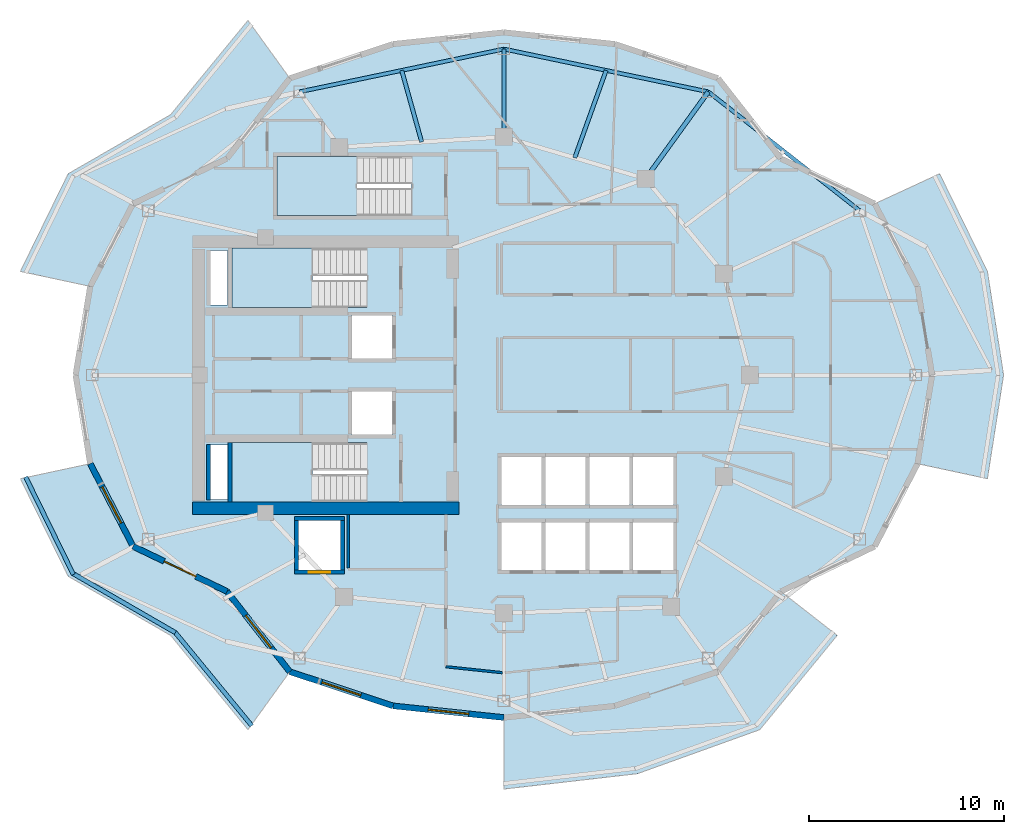
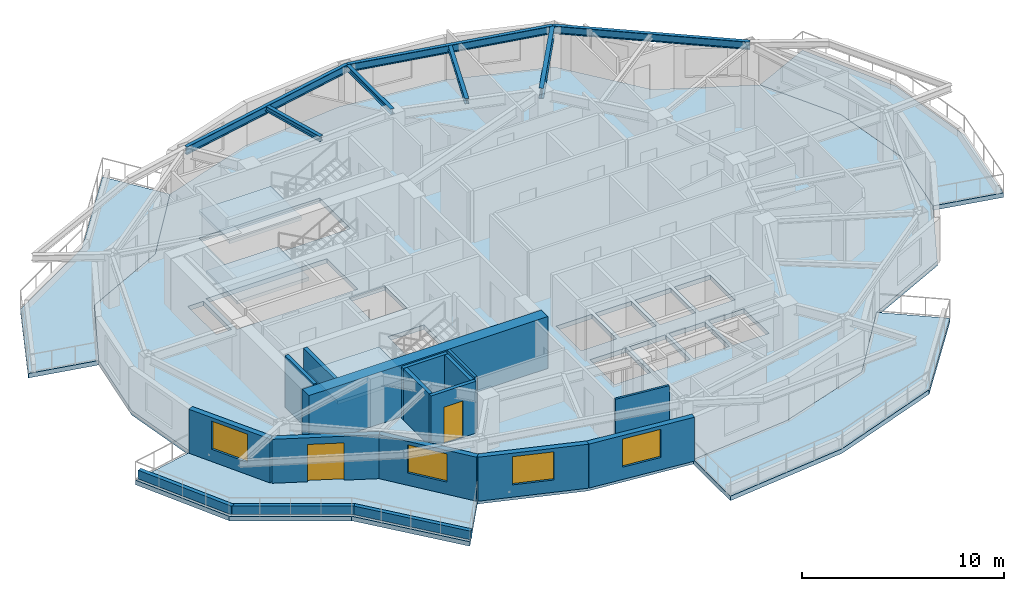
# One storey, part 2 of 12: 17 walls, 8 slabs, 7 beams, 4 windows, 2 doors, 6 openings, 3 elements without a shape of their own.
"""IFC4 building model written with IfcOpenShell, lengths in metres."""

from ifc_helpers import new_model, si_unit, direction, frame, frame_2d, origin, origin_2d, place, context, subcontext, project, spatial, polyline, rectangle, i_section, outline, extrude, material, layer, layer_set, material_profile, profile_set, type_object, element, fill, aggregate, save


model = new_model("IFC4")

# Units and contexts
model_context = context("Model", 3, precision=1e-05, world=origin(), true_north=direction((0.0, 1.0)))
body_context = subcontext(model_context, "Body", "Model", "MODEL_VIEW")
ifc_project = project(units=[si_unit("LENGTHUNIT", "METRE"), si_unit("AREAUNIT", "SQUARE_METRE"), si_unit("VOLUMEUNIT", "CUBIC_METRE"), si_unit("PLANEANGLEUNIT", "RADIAN"), si_unit("MASSUNIT", "GRAM", prefix="KILO")], contexts=[model_context])

# Site, building, storey
site_placement = place(None, origin())
site = spatial("IfcSite", under=ifc_project, at=site_placement, CompositionType="ELEMENT")
building_placement = place(site_placement, origin())
building = spatial("IfcBuilding", under=site, at=building_placement, Name="Kolvaren Gate Tower and Convention Centre", CompositionType="ELEMENT")
storey_placement = place(building_placement, frame((0.0, 0.0, 180.10009765625)))
storey = spatial("IfcBuildingStorey", under=building, at=storey_placement, Name="L47", CompositionType="ELEMENT", Elevation=180.10009765625)

# Beams
ifc_material_1 = material(Name="Structural steel ASTM A992 Grade 345 MPa", Category="steel")
ifc_material_profile_1 = material_profile(ifc_material_1, i_section(OverallWidth=0.22998046875, OverallDepth=0.616943359375, WebThickness=0.01318359375, FlangeThickness=0.022216796875, at=origin_2d()), Name="W610X140")
ifc_profile_set_1 = profile_set([ifc_material_profile_1], Name="Structural steel ASTM A992 Grade 345 MPa")
beam_type_1 = type_object("IfcBeamType", Name="STR-BM-W610X140", PredefinedType="BEAM", material=ifc_profile_set_1)
beam_1_placement = place(storey_placement, frame((37.381591796875, 37.054931640625, 2.8212890625), z_axis=(0.58520818289, 0.810883088169, 0.0), x_axis=(-0.810883088169, 0.58520818289, 0.0)))
element("IfcBeam", 1, at=beam_1_placement, inside=storey, type_object=beam_type_1, Name="Tower L47 Radial Floor Girder RB-03", PredefinedType="BEAM", context=body_context, shape_type="SweptSolid", body=[
    extrude(i_section(OverallWidth=0.22998046875, OverallDepth=0.616943359375, WebThickness=0.01318359375, FlangeThickness=0.022216796875, at=origin_2d()), origin(), (0.0, 0.0, 1.0), 5.493408203125),
])
ifc_material_profile_2 = material_profile(ifc_material_1, i_section(OverallWidth=0.205078125, OverallDepth=0.31005859375, WebThickness=0.009521484375, FlangeThickness=0.016357421875, at=origin_2d()), Name="W310X74")
ifc_profile_set_2 = profile_set([ifc_material_profile_2], Name="Structural steel ASTM A992 Grade 345 MPa")
beam_type_2 = type_object("IfcBeamType", Name="STR-JS-W310X74", PredefinedType="JOIST", material=ifc_profile_set_2)
beam_2_placement = place(storey_placement, frame((30.125, 39.199951171875, 2.974853515625), z_axis=(0.0, 1.0, 0.0), x_axis=(-1.0, 0.0, 0.0)))
element("IfcBeam", 2, at=beam_2_placement, inside=storey, type_object=beam_type_2, Name="Tower L47 Radial Floor Girder RB-04", PredefinedType="JOIST", context=body_context, shape_type="SweptSolid", body=[
    extrude(i_section(OverallWidth=0.205078125, OverallDepth=0.31005859375, WebThickness=0.009521484375, FlangeThickness=0.016357421875, at=origin_2d()), origin(), (0.0, 0.0, 1.0), 4.5),
])
beam_3_placement = place(storey_placement, frame((33.75341796875, 38.12744140625, 2.974853515625), z_axis=(0.33785426197, 0.941198436924, 0.0), x_axis=(-0.941198436924, 0.33785426197, 0.0)))
element("IfcBeam", 3, at=beam_3_placement, inside=storey, type_object=beam_type_2, Name="Tower L47 Secondary Composite Floor Joist J-03.1", PredefinedType="JOIST", context=body_context, shape_type="SweptSolid", body=[
    extrude(i_section(OverallWidth=0.205078125, OverallDepth=0.31005859375, WebThickness=0.009521484375, FlangeThickness=0.016357421875, at=origin_2d()), origin(), (0.0, 0.0, 1.0), 4.757080078125),
])
beam_4_placement = place(storey_placement, frame((25.91162109375, 38.938232421875, 2.974853515625), z_axis=(-0.26855678261, 0.963263855085, 0.0), x_axis=(-0.963263855085, -0.26855678261, 0.0)))
element("IfcBeam", 4, at=beam_4_placement, inside=storey, type_object=beam_type_2, Name="Tower L47 Secondary Composite Floor Joist J-04.1", PredefinedType="JOIST", context=body_context, shape_type="SweptSolid", body=[
    extrude(i_section(OverallWidth=0.205078125, OverallDepth=0.31005859375, WebThickness=0.009521484375, FlangeThickness=0.016357421875, at=origin_2d()), origin(), (0.0, 0.0, 1.0), 3.806396484375),
])
ifc_material_profile_3 = material_profile(ifc_material_1, i_section(OverallWidth=0.194091796875, OverallDepth=0.468994140625, WebThickness=0.0126953125, FlangeThickness=0.0205078125, at=origin_2d()), Name="W460X106")
ifc_profile_set_3 = profile_set([ifc_material_profile_3], Name="Structural steel ASTM A992 Grade 345 MPa")
beam_type_3 = type_object("IfcBeamType", Name="STR-SP-W460X106", PredefinedType="SPANDREL", material=ifc_profile_set_3)
beam_5_placement = place(storey_placement, frame((48.351806640625, 35.418701171875, 2.8955078125), z_axis=(-0.786450621777, 0.617653154697, 0.0), x_axis=(-0.617653154697, -0.786450621777, 0.0)))
element("IfcBeam", 5, at=beam_5_placement, inside=storey, type_object=beam_type_3, Name="Tower L47 Perimeter Spandrel Beam SP-02", PredefinedType="SPANDREL", context=body_context, shape_type="SweptSolid", body=[
    extrude(i_section(OverallWidth=0.194091796875, OverallDepth=0.468994140625, WebThickness=0.0126953125, FlangeThickness=0.0205078125, at=origin_2d()), origin(), (0.0, 0.0, 1.0), 9.861328125),
])
beam_6_placement = place(storey_placement, frame((40.596435546875, 41.509521484375, 2.8955078125), z_axis=(-0.978814350133, 0.204749769168, 0.0), x_axis=(-0.204749769168, -0.978814350133, 0.0)))
element("IfcBeam", 6, at=beam_6_placement, inside=storey, type_object=beam_type_3, Name="Tower L47 Perimeter Spandrel Beam SP-03", PredefinedType="SPANDREL", context=body_context, shape_type="SweptSolid", body=[
    extrude(i_section(OverallWidth=0.194091796875, OverallDepth=0.468994140625, WebThickness=0.0126953125, FlangeThickness=0.0205078125, at=origin_2d()), origin(), (0.0, 0.0, 1.0), 10.697998046875),
])
beam_7_placement = place(storey_placement, frame((30.125, 43.699951171875, 2.8955078125), z_axis=(-0.978813393389, -0.204754342865, 0.0), x_axis=(0.204754342865, -0.978813393389, 0.0)))
element("IfcBeam", 7, at=beam_7_placement, inside=storey, type_object=beam_type_3, Name="Tower L47 Perimeter Spandrel Beam SP-04", PredefinedType="SPANDREL", context=body_context, shape_type="SweptSolid", body=[
    extrude(i_section(OverallWidth=0.194091796875, OverallDepth=0.468994140625, WebThickness=0.0126953125, FlangeThickness=0.0205078125, at=origin_2d()), origin(), (0.0, 0.0, 1.0), 10.69775390625),
])

# Slabs
ifc_material_2 = material(Name="Concrete C50/60", Category="concrete")
ifc_layer_1 = layer(ifc_material_2, 0.27001953125)
ifc_layer_set_1 = layer_set([ifc_layer_1], Name="Concrete C50/60")
slab_type_1 = type_object("IfcSlabType", Name="STR-SL-BALC-270", PredefinedType="FLOOR", material=ifc_layer_set_1)
slab_1_placement = place(storey_placement, frame((0.0, 0.0, -0.27001953125)))
element("IfcSlab", 8, at=slab_1_placement, inside=storey, type_object=slab_type_1, Name="Tower L47 Planted Balcony Terrace Slab 1 (West)", PredefinedType="FLOOR", context=body_context, shape_type="SweptSolid", body=[
    extrude(outline(polyline([(19.15625, 42.19873046875), (15.9365234375, 38.0859375), (11.126708984375, 35.77490234375), (8.93505859375, 31.542236328125), (5.356201171875, 32.309326171875), (7.803955078125, 37.309814453125), (13.052490234375, 40.33935546875), (17.014404296875, 45.16650390625), (19.15625, 42.19873046875)])), origin(), (0.0, 0.0, 1.0), 0.27001953125),
])
slab_2_placement = place(storey_placement, frame((0.0, 0.0, -0.27001953125)))
element("IfcSlab", 9, at=slab_2_placement, inside=storey, type_object=slab_type_1, Name="Tower L47 Planted Balcony Terrace Slab 2 (West)", PredefinedType="FLOOR", context=body_context, shape_type="SweptSolid", body=[
    extrude(outline(polyline([(8.93505859375, 22.457763671875), (11.126708984375, 18.22509765625), (15.9365234375, 15.9140625), (19.15625, 11.80126953125), (17.014404296875, 8.83349609375), (13.052490234375, 13.66064453125), (7.803955078125, 16.690185546875), (5.356201171875, 21.690673828125), (8.93505859375, 22.457763671875)])), origin(), (0.0, 0.0, 1.0), 0.27001953125),
])
slab_3_placement = place(storey_placement, frame((0.0, 0.0, -0.27001953125)))
element("IfcSlab", 10, at=slab_3_placement, inside=storey, type_object=slab_type_1, Name="Tower L47 Planted Balcony Terrace Slab 3 (South)", PredefinedType="FLOOR", context=body_context, shape_type="SweptSolid", body=[
    extrude(outline(polyline([(30.125, 9.449951171875), (35.802734375, 10.048095703125), (41.09375, 11.80126953125), (44.3134765625, 15.9140625), (47.197509765625, 13.66064453125), (43.235595703125, 8.83349609375), (36.965087890625, 6.577392578125), (30.125, 5.7900390625), (30.125, 9.449951171875)])), origin(), (0.0, 0.0, 1.0), 0.27001953125),
])
slab_4_placement = place(storey_placement, frame((0.0, 0.0, -0.27001953125)))
element("IfcSlab", 11, at=slab_4_placement, inside=storey, type_object=slab_type_1, Name="Tower L47 Planted Balcony Terrace Slab 4 (East)", PredefinedType="FLOOR", context=body_context, shape_type="SweptSolid", body=[
    extrude(outline(polyline([(51.31494140625, 22.457763671875), (52.0625, 27.0), (51.31494140625, 31.542236328125), (49.123291015625, 35.77490234375), (52.446044921875, 37.309814453125), (54.893798828125, 32.309326171875), (55.722412109375, 27.0), (54.893798828125, 21.690673828125), (51.31494140625, 22.457763671875)])), origin(), (0.0, 0.0, 1.0), 0.27001953125),
])
ifc_material_3 = material(Name="Concrete C40/50", Category="concrete")
ifc_layer_2 = layer(ifc_material_3, 0.27001953125)
ifc_layer_set_2 = layer_set([ifc_layer_2], Name="Concrete C40/50")
slab_type_2 = type_object("IfcSlabType", Name="STR-SL-FLR-270", PredefinedType="FLOOR", material=ifc_layer_set_2)
slab_5_placement = place(storey_placement, frame((0.0, 0.0, -0.27001953125)))
element("IfcSlab", 12, at=slab_5_placement, inside=storey, type_object=slab_type_2, Name="Tower L47 Structural Floor Slab", PredefinedType="FLOOR", context=body_context, shape_type="SweptSolid", body=[
    extrude(outline(polyline([(52.0625, 27.0), (51.31494140625, 31.542236328125), (49.123291015625, 35.77490234375), (44.3134765625, 38.0859375), (41.09375, 42.19873046875), (35.802734375, 43.951904296875), (30.125, 44.550048828125), (24.447265625, 43.951904296875), (19.15625, 42.19873046875), (15.9365234375, 38.0859375), (11.126708984375, 35.77490234375), (8.93505859375, 31.542236328125), (8.1875, 27.0), (8.93505859375, 22.457763671875), (11.126708984375, 18.22509765625), (15.9365234375, 15.9140625), (19.15625, 11.80126953125), (24.447265625, 10.048095703125), (30.125, 9.449951171875), (35.802734375, 10.048095703125), (41.09375, 11.80126953125), (44.3134765625, 15.9140625), (49.123291015625, 18.22509765625), (51.31494140625, 22.457763671875), (52.0625, 27.0)]), holes=[polyline([(36.75, 17.0), (36.75, 19.449951171875), (38.800048828125, 19.449951171875), (38.800048828125, 17.0), (36.75, 17.0)]), polyline([(36.75, 20.35009765625), (36.75, 22.800048828125), (38.800048828125, 22.800048828125), (38.800048828125, 20.35009765625), (36.75, 20.35009765625)]), polyline([(34.5, 17.0), (34.5, 19.449951171875), (36.550048828125, 19.449951171875), (36.550048828125, 17.0), (34.5, 17.0)]), polyline([(34.5, 20.35009765625), (34.5, 22.800048828125), (36.550048828125, 22.800048828125), (36.550048828125, 20.35009765625), (34.5, 20.35009765625)]), polyline([(32.25, 17.0), (32.25, 19.449951171875), (34.300048828125, 19.449951171875), (34.300048828125, 17.0), (32.25, 17.0)]), polyline([(32.25, 20.35009765625), (32.25, 22.800048828125), (34.300048828125, 22.800048828125), (34.300048828125, 20.35009765625), (32.25, 20.35009765625)]), polyline([(30.0, 17.0), (30.0, 19.449951171875), (32.050048828125, 19.449951171875), (32.050048828125, 17.0), (30.0, 17.0)]), polyline([(30.0, 20.35009765625), (30.0, 22.800048828125), (32.050048828125, 22.800048828125), (32.050048828125, 20.35009765625), (30.0, 20.35009765625)]), polyline([(25.39990234375, 38.199951171875), (25.39990234375, 35.159912109375), (18.5, 35.159912109375), (18.5, 38.199951171875), (25.39990234375, 38.199951171875)]), polyline([(22.35009765625, 23.9599609375), (22.35009765625, 26.159912109375), (24.39990234375, 26.159912109375), (24.39990234375, 23.9599609375), (22.35009765625, 23.9599609375)]), polyline([(22.35009765625, 27.840087890625), (22.35009765625, 30.0400390625), (24.39990234375, 30.0400390625), (24.39990234375, 27.840087890625), (22.35009765625, 27.840087890625)]), polyline([(23.10009765625, 23.5400390625), (23.10009765625, 20.5), (16.199951171875, 20.5), (16.199951171875, 23.5400390625), (23.10009765625, 23.5400390625)]), polyline([(23.10009765625, 33.5), (23.10009765625, 30.4599609375), (16.199951171875, 30.4599609375), (16.199951171875, 33.5), (23.10009765625, 33.5)]), polyline([(19.60009765625, 17.0), (19.60009765625, 19.550048828125), (21.75, 19.550048828125), (21.75, 17.0), (19.60009765625, 17.0)]), polyline([(15.080078125, 20.6298828125), (15.080078125, 23.419921875), (15.969970703125, 23.419921875), (15.969970703125, 20.6298828125), (15.080078125, 20.6298828125)]), polyline([(15.080078125, 30.580078125), (15.080078125, 33.3701171875), (15.969970703125, 33.3701171875), (15.969970703125, 30.580078125), (15.080078125, 30.580078125)])]), origin(), (0.0, 0.0, 1.0), 0.27001953125),
])

# Stair, slab
stair_type = type_object("IfcStairType", Name="STR-STAIR-CORE", PredefinedType="HALF_TURN_STAIR", material=ifc_material_2)
stair_1_placement = place(storey_placement, origin())
stair_1 = element("IfcStair", 13, at=stair_1_placement, inside=storey, type_object=stair_type, Name="L47 Tower North Exit Stair ST-T1", PredefinedType="HALF_TURN_STAIR")
ifc_layer_3 = layer(ifc_material_2, 0.199951171875)
ifc_layer_set_3 = layer_set([ifc_layer_3], Name="Concrete C50/60")
slab_type_3 = type_object("IfcSlabType", Name="STR-SL-LAND-200", PredefinedType="LANDING", material=ifc_layer_set_3)
slab_6_placement = place(storey_placement, frame((0.0, 0.0, 1.5)))
slab_6 = element("IfcSlab", 14, at=slab_6_placement, type_object=slab_type_3, Name="ST-T1 landing 1", PredefinedType="LANDING", context=body_context, shape_type="SweptSolid", body=[
    extrude(outline(polyline([(20.31005859375, 33.5), (16.199951171875, 33.5), (16.199951171875, 30.4599609375), (20.31005859375, 30.4599609375), (20.31005859375, 33.5)])), origin(), (0.0, 0.0, 1.0), 0.199951171875),
])
aggregate(stair_1, [slab_6])

stair_2_placement = place(storey_placement, origin())
stair_2 = element("IfcStair", 15, at=stair_2_placement, inside=storey, type_object=stair_type, Name="L47 Tower South Exit Stair ST-T2", PredefinedType="HALF_TURN_STAIR")
slab_7_placement = place(storey_placement, frame((0.0, 0.0, 1.5)))
slab_7 = element("IfcSlab", 16, at=slab_7_placement, type_object=slab_type_3, Name="ST-T2 landing 1", PredefinedType="LANDING", context=body_context, shape_type="SweptSolid", body=[
    extrude(outline(polyline([(20.31005859375, 23.5400390625), (16.199951171875, 23.5400390625), (16.199951171875, 20.5), (20.31005859375, 20.5), (20.31005859375, 23.5400390625)])), origin(), (0.0, 0.0, 1.0), 0.199951171875),
])
aggregate(stair_2, [slab_7])

stair_3_placement = place(storey_placement, origin())
stair_3 = element("IfcStair", 17, at=stair_3_placement, inside=storey, type_object=stair_type, Name="L47 Tower Mid-Zone Exit Stair ST-T3", PredefinedType="HALF_TURN_STAIR")
slab_8_placement = place(storey_placement, frame((0.0, 0.0, 1.5)))
slab_8 = element("IfcSlab", 18, at=slab_8_placement, type_object=slab_type_3, Name="ST-T3 landing 1", PredefinedType="LANDING", context=body_context, shape_type="SweptSolid", body=[
    extrude(outline(polyline([(22.610107421875, 38.199951171875), (18.5, 38.199951171875), (18.5, 35.159912109375), (22.610107421875, 35.159912109375), (22.610107421875, 38.199951171875)])), origin(), (0.0, 0.0, 1.0), 0.199951171875),
])
aggregate(stair_3, [slab_8])

# Walls
ifc_material_4 = material(Name="Fire-Rated Acoustic Gypsum Stud Partition", Category="gypsum")
ifc_layer_4 = layer(ifc_material_4, 0.1201171875)
ifc_layer_set_4 = layer_set([ifc_layer_4], Name="Fire-Rated Acoustic Gypsum Stud Partition")
wall_type_1 = type_object("IfcWallType", Name="ARCH-WL-PART-120", PredefinedType="PARTITIONING", material=ifc_layer_set_4)
wall_1_placement = place(storey_placement, frame((27.14990234375, 12.055908203125, 0.0), z_axis=(0.0, 0.0, 1.0), x_axis=(0.994501330468, -0.104723940422, 0.0)))
element("IfcWall", 19, at=wall_1_placement, inside=storey, type_object=wall_type_1, Name="Interior Partition WL-L47-INT-028", PredefinedType="PARTITIONING", context=body_context, shape_type="SweptSolid", body=[
    extrude(rectangle(XDim=2.921142578125, YDim=0.1201171875, at=frame_2d((1.46044921875, 0.0))), origin(), (0.0, 0.0, 1.0), 3.1298828125),
])
ifc_material_5 = material(Name="Piedmont Cream Honed Limestone Cladding", Category="masonry")
ifc_layer_5 = layer(ifc_material_5, 0.219970703125)
ifc_layer_set_5 = layer_set([ifc_layer_5], Name="Piedmont Cream Honed Limestone Cladding")
wall_type_2 = type_object("IfcWallType", Name="ARCH-WL-PLANTER-220", PredefinedType="PARAPET", material=ifc_layer_set_5)
wall_2_placement = place(storey_placement, frame((5.6220703125, 21.77880859375, 0.0), z_axis=(0.0, 0.0, 1.0), x_axis=(0.439637174641, -0.898175458735, 0.0)))
element("IfcWall", 20, at=wall_2_placement, inside=storey, type_object=wall_type_2, Name="Vertical-Forest Balcony Stone Planter Kerb PK-L47-2.1", PredefinedType="PARAPET", context=body_context, shape_type="SweptSolid", body=[
    extrude(rectangle(XDim=5.567138671875, YDim=0.219970703125, at=frame_2d((2.78369140625, 0.0))), origin(), (0.0, 0.0, 1.0), 0.52001953125),
])
wall_3_placement = place(storey_placement, frame((8.0439453125, 16.83447265625, 0.0), z_axis=(0.0, 0.0, 1.0), x_axis=(0.866058128659, -0.499943314571, 0.0)))
element("IfcWall", 21, at=wall_3_placement, inside=storey, type_object=wall_type_2, Name="Vertical-Forest Balcony Stone Planter Kerb PK-L47-2.2", PredefinedType="PARAPET", context=body_context, shape_type="SweptSolid", body=[
    extrude(rectangle(XDim=6.060302734375, YDim=0.219970703125, at=frame_2d((3.0302734375, 0.0))), origin(), (0.0, 0.0, 1.0), 0.52001953125),
])
wall_4_placement = place(storey_placement, frame((13.24609375, 13.86279296875, 0.0), z_axis=(0.0, 0.0, 1.0), x_axis=(0.634429234628, -0.77298094818, 0.0)))
element("IfcWall", 22, at=wall_4_placement, inside=storey, type_object=wall_type_2, Name="Vertical-Forest Balcony Stone Planter Kerb PK-L47-2.3", PredefinedType="PARAPET", context=body_context, shape_type="SweptSolid", body=[
    extrude(rectangle(XDim=6.244873046875, YDim=0.219970703125, at=frame_2d((3.12255859375, 0.0))), origin(), (0.0, 0.0, 1.0), 0.52001953125),
])
ifc_material_6 = material(Name="Autoclaved Aerated Masonry Blockwork Class 4 (4.0 MPa)", Category="masonry")
ifc_layer_6 = layer(ifc_material_6, 0.199951171875)
ifc_layer_set_6 = layer_set([ifc_layer_6], Name="Autoclaved Aerated Masonry Blockwork Class 4 (4.0 MPa)")
wall_type_3 = type_object("IfcWallType", Name="ARCH-WL-SHAFT-200", PredefinedType="SOLIDWALL", material=ifc_layer_set_6)
wall_5_placement = place(storey_placement, frame((19.39990234375, 19.64990234375, 0.0), z_axis=(0.0, 0.0, 1.0), x_axis=(1.0, 0.0, 0.0)))
element("IfcWall", 23, at=wall_5_placement, inside=storey, type_object=wall_type_3, Name="Elevator SV-01 L47 Fire Shaft Wall N", PredefinedType="SOLIDWALL", context=body_context, shape_type="SweptSolid", body=[
    extrude(rectangle(XDim=2.550048828125, YDim=0.199951171875, at=frame_2d((1.27490234375, 0.0))), origin(), (0.0, 0.0, 1.0), 3.1298828125),
])

# Wall, opening, door
wall_6_placement = place(storey_placement, frame((19.39990234375, 16.89990234375, 0.0), z_axis=(0.0, 0.0, 1.0), x_axis=(1.0, 0.0, 0.0)))
wall_6 = element("IfcWall", 24, at=wall_6_placement, inside=storey, type_object=wall_type_3, Name="Elevator SV-01 L47 Fire Shaft Wall S", PredefinedType="SOLIDWALL", context=body_context, shape_type="SweptSolid", body=[
    extrude(rectangle(XDim=2.550048828125, YDim=0.199951171875, at=frame_2d((1.27490234375, 0.0))), origin(), (0.0, 0.0, 1.0), 3.1298828125),
])
opening_1_placement = place(wall_6_placement, frame((0.72509765625, 0.0, 0.0)))
opening_1 = element("IfcOpeningElement", 25, at=opening_1_placement, cuts=wall_6, Name="Opening LD", PredefinedType="OPENING", context=body_context, shape_type="SweptSolid", body=[
    extrude(rectangle(XDim=1.10009765625, YDim=2.199951171875, at=frame_2d((0.550048828125, 1.10009765625))), frame((0.0, 0.10986328125, 0.0), z_axis=(0.0, -1.0, 0.0), x_axis=(1.0, 0.0, 0.0)), (0.0, 0.0, 1.0), 0.219970703125),
])
ifc_material_7 = material(Name="Brushed Stainless Steel Grade 316L", Category="steel")
door_type_1 = type_object("IfcDoorType", Name="ARCH-DR-LIFT-1100", OperationType="SLIDING_TO_LEFT", PredefinedType="DOOR", material=ifc_material_7)
door_1_placement = place(opening_1_placement, origin())
door_1 = element("IfcDoor", 26, at=door_1_placement, inside=storey, type_object=door_type_1, Name="Elevator SV-01 L47 Sliding Landing Door", OperationType="SLIDING_TO_LEFT", OverallHeight=2.199951171875, OverallWidth=1.10009765625, PredefinedType="DOOR", context=body_context, shape_type="SweptSolid", body=[
    extrude(rectangle(XDim=1.10009765625, YDim=2.199951171875, at=frame_2d((0.550048828125, 1.10009765625))), frame((0.0, 0.02490234375, 0.0), z_axis=(0.0, -1.0, 0.0), x_axis=(1.0, 0.0, 0.0)), (0.0, 0.0, 1.0), 0.050048828125),
])
fill(opening_1, door_1)

# Walls
for number, where, z_axis, x_axis, name in (
    (27, (19.5, 17.010009765625, 0.0), (0.0, 0.0, 1.0), (0.0, 1.0, 0.0), "Elevator SV-01 L47 Fire Shaft Wall W"),
    (28, (21.85009765625, 17.010009765625, 0.0), (0.0, 0.0, 1.0), (0.0, 1.0, 0.0), "Elevator SV-01 L47 Fire Shaft Wall E"),
):
    element("IfcWall", number, at=place(storey_placement, frame(where, z_axis=z_axis, x_axis=x_axis)), inside=storey, type_object=wall_type_3, Name=name, PredefinedType="SOLIDWALL", context=body_context, shape_type="SweptSolid", body=[
        extrude(rectangle(XDim=2.530029296875, YDim=0.199951171875, at=frame_2d((1.26513671875, 0.0))), origin(), (0.0, 0.0, 1.0), 3.1298828125),
    ])
wall_7_placement = place(storey_placement, frame((14.989990234375, 20.60009765625, 0.0), z_axis=(0.0, 0.0, 1.0), x_axis=(0.0, 1.0, 0.0)))
element("IfcWall", 29, at=wall_7_placement, inside=storey, type_object=wall_type_3, Name="Vertical Shaft MPR L47 EI-120 Enclosure Wall W", PredefinedType="SOLIDWALL", context=body_context, shape_type="SweptSolid", body=[
    extrude(rectangle(XDim=2.849853515625, YDim=0.199951171875, at=frame_2d((1.4248046875, 0.0))), origin(), (0.0, 0.0, 1.0), 3.1298828125),
])

# Wall, opening, window
ifc_layer_7 = layer(ifc_material_5, 0.300048828125)
ifc_layer_set_7 = layer_set([ifc_layer_7], Name="Piedmont Cream Honed Limestone Cladding")
wall_type_4 = type_object("IfcWallType", Name="ARCH-WL-STONE-300", PredefinedType="SOLIDWALL", material=ifc_layer_set_7)
wall_8_placement = place(storey_placement, frame((8.93505859375, 22.457763671875, 0.0), z_axis=(0.0, 0.0, 1.0), x_axis=(0.459810251451, -0.888017191647, 0.0)))
wall_8 = element("IfcWall", 30, at=wall_8_placement, inside=storey, type_object=wall_type_4, Name="Tower L47 Honed Stone Spandrel Wall EW-13", PredefinedType="SOLIDWALL", context=body_context, shape_type="SweptSolid", body=[
    extrude(rectangle(XDim=4.766357421875, YDim=0.300048828125, at=frame_2d((2.38330078125, 0.0))), origin(), (0.0, 0.0, 1.0), 2.65283203125),
])
opening_2_placement = place(wall_8_placement, frame((1.3330078125, 0.0, 0.739990234375)))
opening_2 = element("IfcOpeningElement", 31, at=opening_2_placement, cuts=wall_8, Name="Opening W-02", PredefinedType="OPENING", context=body_context, shape_type="SweptSolid", body=[
    extrude(rectangle(XDim=2.10009765625, YDim=1.699951171875, at=frame_2d((1.050048828125, 0.85009765625))), frame((0.0, 0.159912109375, 0.0), z_axis=(0.0, -1.0, 0.0), x_axis=(1.0, 0.0, 0.0)), (0.0, 0.0, 1.0), 0.320068359375),
])
ifc_material_8 = material(Name="Low-E Triple Insulated Glazing Unit 44 mm", Category="glass")
window_type = type_object("IfcWindowType", Name="ARCH-WN-HTL-2100", PartitioningType="SINGLE_PANEL", PredefinedType="WINDOW", material=ifc_material_8)
window_1_placement = place(opening_2_placement, origin())
window_1 = element("IfcWindow", 32, at=window_1_placement, inside=storey, type_object=window_type, Name="Tower L47 Punched Stone Facade Window W-13", OverallHeight=1.699951171875, OverallWidth=2.10009765625, PartitioningType="SINGLE_PANEL", PredefinedType="WINDOW", context=body_context, shape_type="SweptSolid", body=[
    extrude(rectangle(XDim=2.10009765625, YDim=1.699951171875, at=frame_2d((1.050048828125, 0.85009765625))), frame((0.0, 0.030029296875, 0.0), z_axis=(0.0, -1.0, 0.0), x_axis=(1.0, 0.0, 0.0)), (0.0, 0.0, 1.0), 0.06005859375),
])
fill(opening_2, window_1)

# Wall, opening, door
wall_9_placement = place(storey_placement, frame((11.126708984375, 18.22509765625, 0.0), z_axis=(0.0, 0.0, 1.0), x_axis=(0.901353070301, -0.433085029363, 0.0)))
wall_9 = element("IfcWall", 33, at=wall_9_placement, inside=storey, type_object=wall_type_4, Name="Tower L47 Honed Stone Spandrel Wall EW-14", PredefinedType="SOLIDWALL", context=body_context, shape_type="SweptSolid", body=[
    extrude(rectangle(XDim=5.336181640625, YDim=0.300048828125, at=frame_2d((2.66796875, 0.0))), origin(), (0.0, 0.0, 1.0), 2.65283203125),
])
opening_3_placement = place(wall_9_placement, frame((1.76806640625, 0.0, 0.0)))
opening_3 = element("IfcOpeningElement", 34, at=opening_3_placement, cuts=wall_9, Name="Opening DB-01", PredefinedType="OPENING", context=body_context, shape_type="SweptSolid", body=[
    extrude(rectangle(XDim=1.800048828125, YDim=2.25, at=frame_2d((0.89990234375, 1.125))), frame((0.0, 0.159912109375, 0.0), z_axis=(0.0, -1.0, 0.0), x_axis=(1.0, 0.0, 0.0)), (0.0, 0.0, 1.0), 0.320068359375),
])
ifc_material_9 = material(Name="Anodized Architectural Aluminium Alloy 6063-T6", Category="aluminium")
door_type_2 = type_object("IfcDoorType", Name="ARCH-DR-BALC-1800", OperationType="SLIDING_TO_LEFT", PredefinedType="DOOR", material=ifc_material_9)
door_2_placement = place(opening_3_placement, frame((1.800048828125, 0.0, 0.0), z_axis=(0.0, 0.0, 1.0), x_axis=(-1.0, 0.0, 0.0)))
door_2 = element("IfcDoor", 35, at=door_2_placement, inside=storey, type_object=door_type_2, Name="Planted Sky Terrace Access Door DB-L47-14", OperationType="SLIDING_TO_LEFT", OverallHeight=2.25, OverallWidth=1.800048828125, PredefinedType="DOOR", context=body_context, shape_type="SweptSolid", body=[
    extrude(rectangle(XDim=1.800048828125, YDim=2.25, at=frame_2d((0.89990234375, 1.125))), frame((0.0, 0.02490234375, 0.0), z_axis=(0.0, -1.0, 0.0), x_axis=(1.0, 0.0, 0.0)), (0.0, 0.0, 1.0), 0.050048828125),
])
fill(opening_3, door_2)

# Wall, opening, window
wall_10_placement = place(storey_placement, frame((15.9365234375, 15.9140625, 0.0), z_axis=(0.0, 0.0, 1.0), x_axis=(0.616429245738, -0.787410302828, 0.0)))
wall_10 = element("IfcWall", 36, at=wall_10_placement, inside=storey, type_object=wall_type_4, Name="Tower L47 Honed Stone Spandrel Wall EW-15", PredefinedType="SOLIDWALL", context=body_context, shape_type="SweptSolid", body=[
    extrude(rectangle(XDim=5.22314453125, YDim=0.300048828125, at=frame_2d((2.611572265625, 0.0))), origin(), (0.0, 0.0, 1.0), 2.65283203125),
])
opening_4_placement = place(wall_10_placement, frame((1.56201171875, 0.0, 0.739990234375)))
opening_4 = element("IfcOpeningElement", 37, at=opening_4_placement, cuts=wall_10, Name="Opening W-02", PredefinedType="OPENING", context=body_context, shape_type="SweptSolid", body=[
    extrude(rectangle(XDim=2.10009765625, YDim=1.699951171875, at=frame_2d((1.050048828125, 0.85009765625))), frame((0.0, 0.159912109375, 0.0), z_axis=(0.0, -1.0, 0.0), x_axis=(1.0, 0.0, 0.0)), (0.0, 0.0, 1.0), 0.320068359375),
])
window_2_placement = place(opening_4_placement, origin())
window_2 = element("IfcWindow", 38, at=window_2_placement, inside=storey, type_object=window_type, Name="Tower L47 Punched Stone Facade Window W-15", OverallHeight=1.699951171875, OverallWidth=2.10009765625, PartitioningType="SINGLE_PANEL", PredefinedType="WINDOW", context=body_context, shape_type="SweptSolid", body=[
    extrude(rectangle(XDim=2.10009765625, YDim=1.699951171875, at=frame_2d((1.050048828125, 0.85009765625))), frame((0.0, 0.030029296875, 0.0), z_axis=(0.0, -1.0, 0.0), x_axis=(1.0, 0.0, 0.0)), (0.0, 0.0, 1.0), 0.06005859375),
])
fill(opening_4, window_2)

wall_11_placement = place(storey_placement, frame((19.15625, 11.80126953125, 0.0), z_axis=(0.0, 0.0, 1.0), x_axis=(0.949246811547, -0.314532177636, 0.0)))
wall_11 = element("IfcWall", 39, at=wall_11_placement, inside=storey, type_object=wall_type_4, Name="Tower L47 Honed Stone Spandrel Wall EW-16", PredefinedType="SOLIDWALL", context=body_context, shape_type="SweptSolid", body=[
    extrude(rectangle(XDim=5.573974609375, YDim=0.300048828125, at=frame_2d((2.787109375, 0.0))), origin(), (0.0, 0.0, 1.0), 2.65283203125),
])
opening_5_placement = place(wall_11_placement, frame((1.737060546875, 0.0, 0.739990234375)))
opening_5 = element("IfcOpeningElement", 40, at=opening_5_placement, cuts=wall_11, Name="Opening W-02", PredefinedType="OPENING", context=body_context, shape_type="SweptSolid", body=[
    extrude(rectangle(XDim=2.10009765625, YDim=1.699951171875, at=frame_2d((1.050048828125, 0.85009765625))), frame((0.0, 0.159912109375, 0.0), z_axis=(0.0, -1.0, 0.0), x_axis=(1.0, 0.0, 0.0)), (0.0, 0.0, 1.0), 0.320068359375),
])
window_3_placement = place(opening_5_placement, origin())
window_3 = element("IfcWindow", 41, at=window_3_placement, inside=storey, type_object=window_type, Name="Tower L47 Punched Stone Facade Window W-16", OverallHeight=1.699951171875, OverallWidth=2.10009765625, PartitioningType="SINGLE_PANEL", PredefinedType="WINDOW", context=body_context, shape_type="SweptSolid", body=[
    extrude(rectangle(XDim=2.10009765625, YDim=1.699951171875, at=frame_2d((1.050048828125, 0.85009765625))), frame((0.0, 0.030029296875, 0.0), z_axis=(0.0, -1.0, 0.0), x_axis=(1.0, 0.0, 0.0)), (0.0, 0.0, 1.0), 0.06005859375),
])
fill(opening_5, window_3)

wall_12_placement = place(storey_placement, frame((24.447265625, 10.048095703125, 0.0), z_axis=(0.0, 0.0, 1.0), x_axis=(0.994496545245, -0.104769372887, 0.0)))
wall_12 = element("IfcWall", 42, at=wall_12_placement, inside=storey, type_object=wall_type_4, Name="Tower L47 Honed Stone Spandrel Wall EW-17", PredefinedType="SOLIDWALL", context=body_context, shape_type="SweptSolid", body=[
    extrude(rectangle(XDim=5.709228515625, YDim=0.300048828125, at=frame_2d((2.8544921875, 0.0))), origin(), (0.0, 0.0, 1.0), 2.65283203125),
])
opening_6_placement = place(wall_12_placement, frame((1.804931640625, 0.0, 0.739990234375)))
opening_6 = element("IfcOpeningElement", 43, at=opening_6_placement, cuts=wall_12, Name="Opening W-02", PredefinedType="OPENING", context=body_context, shape_type="SweptSolid", body=[
    extrude(rectangle(XDim=2.10009765625, YDim=1.699951171875, at=frame_2d((1.050048828125, 0.85009765625))), frame((0.0, 0.159912109375, 0.0), z_axis=(0.0, -1.0, 0.0), x_axis=(1.0, 0.0, 0.0)), (0.0, 0.0, 1.0), 0.320068359375),
])
window_4_placement = place(opening_6_placement, origin())
window_4 = element("IfcWindow", 44, at=window_4_placement, inside=storey, type_object=window_type, Name="Tower L47 Punched Stone Facade Window W-17", OverallHeight=1.699951171875, OverallWidth=2.10009765625, PartitioningType="SINGLE_PANEL", PredefinedType="WINDOW", context=body_context, shape_type="SweptSolid", body=[
    extrude(rectangle(XDim=2.10009765625, YDim=1.699951171875, at=frame_2d((1.050048828125, 0.85009765625))), frame((0.0, 0.030029296875, 0.0), z_axis=(0.0, -1.0, 0.0), x_axis=(1.0, 0.0, 0.0)), (0.0, 0.0, 1.0), 0.06005859375),
])
fill(opening_6, window_4)

# Walls
ifc_material_10 = material(Name="Moisture-Resistant Cement-Board Acoustic Partition", Category="gypsum")
ifc_layer_8 = layer(ifc_material_10, 0.14990234375)
ifc_layer_set_8 = layer_set([ifc_layer_8], Name="Moisture-Resistant Cement-Board Acoustic Partition")
wall_type_5 = type_object("IfcWallType", Name="ARCH-WL-WET-150", PredefinedType="PARTITIONING", material=ifc_layer_set_8)
wall_13_placement = place(storey_placement, frame((22.14990234375, 17.126953125, 0.0), z_axis=(0.0, 0.0, 1.0), x_axis=(0.0, 1.0, 0.0)))
element("IfcWall", 45, at=wall_13_placement, inside=storey, type_object=wall_type_5, Name="Interior Partition WL-L47-INT-010", PredefinedType="PARTITIONING", context=body_context, shape_type="SweptSolid", body=[
    extrude(rectangle(XDim=2.720947265625, YDim=0.14990234375, at=frame_2d((1.3603515625, 0.0))), origin(), (0.0, 0.0, 1.0), 3.1298828125),
])
ifc_material_11 = material(Name="Concrete C60/75", Category="concrete")
ifc_layer_9 = layer(ifc_material_11, 0.64990234375)
ifc_layer_set_9 = layer_set([ifc_layer_9], Name="Concrete C60/75")
wall_type_6 = type_object("IfcWallType", Name="STR-WL-CORE-650", PredefinedType="SHEAR", material=ifc_layer_set_9)
wall_14_placement = place(storey_placement, frame((14.175048828125, 20.175048828125, -0.27001953125), z_axis=(0.0, 0.0, 1.0), x_axis=(1.0, 0.0, 0.0)))
element("IfcWall", 46, at=wall_14_placement, inside=storey, type_object=wall_type_6, Name="Tower L47 Offset Core Shear Wall S", PredefinedType="SHEAR", context=body_context, shape_type="SweptSolid", body=[
    extrude(rectangle(XDim=13.64990234375, YDim=0.64990234375, at=frame_2d((6.824951171875, 0.0))), origin(), (0.0, 0.0, 1.0), 3.39990234375),
])
ifc_layer_10 = layer(ifc_material_2, 0.199951171875)
ifc_layer_set_10 = layer_set([ifc_layer_10], Name="Concrete C50/60")
wall_type_7 = type_object("IfcWallType", Name="STR-WL-SHAFT-200", PredefinedType="SHEAR", material=ifc_layer_set_10)
wall_15_placement = place(storey_placement, frame((16.10009765625, 20.501953125, -0.27001953125), z_axis=(0.0, 0.0, 1.0), x_axis=(0.0, 1.0, 0.0)))
element("IfcWall", 47, at=wall_15_placement, inside=storey, type_object=wall_type_7, Name="Tower South Exit Stair ST-T2 L47 Structural Shear Enclosure Wall FAR", PredefinedType="SHEAR", context=body_context, shape_type="SweptSolid", body=[
    extrude(rectangle(XDim=3.0361328125, YDim=0.199951171875, at=frame_2d((1.51806640625, 0.0))), origin(), (0.0, 0.0, 1.0), 3.39990234375),
])

save(model, "model.ifc")
